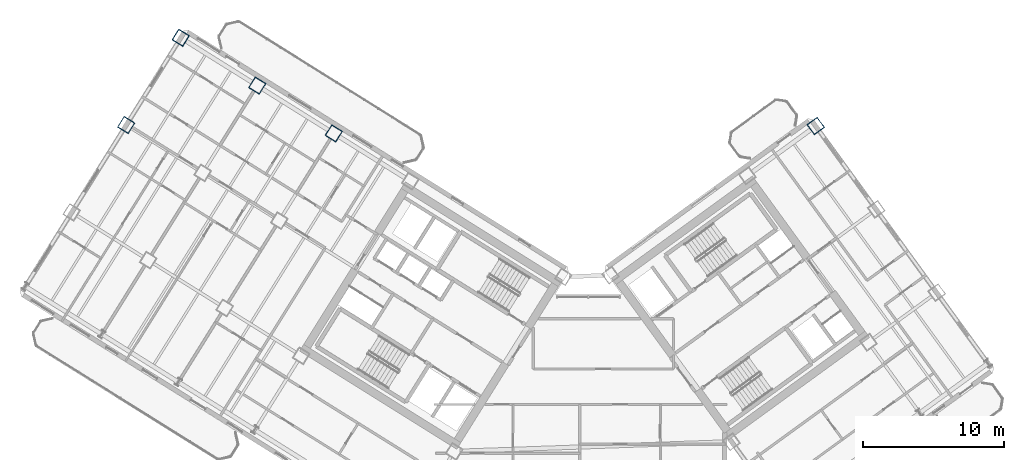
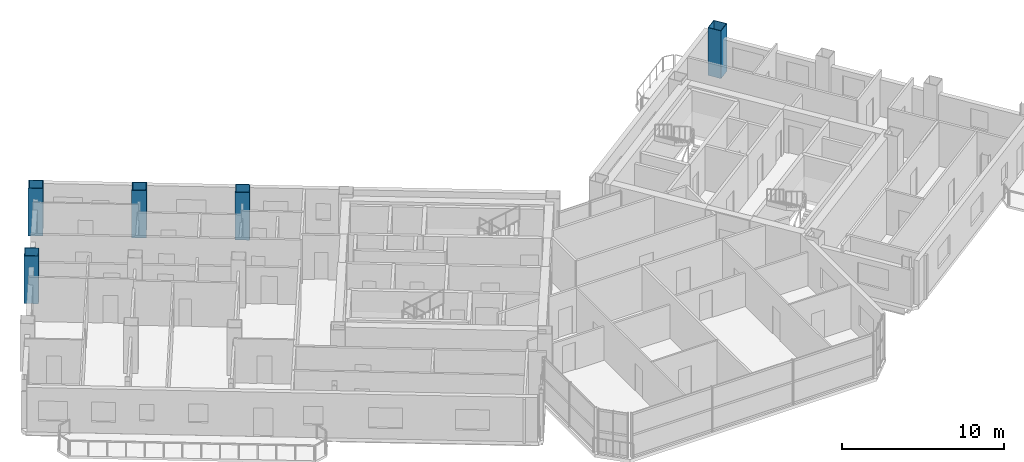
# One storey, part 3 of 25: 5 columns.
"""IFC4 building model written with IfcOpenShell, lengths in metres."""

from ifc_helpers import new_model, si_unit, direction, frame, origin, origin_2d, place, context, subcontext, project, spatial, hollow_rectangle, extrude, source, transform, mapped, material, material_profile, profile_set, type_object, element, save


model = new_model("IFC4")

# Units and contexts
model_context = context("Model", 3, precision=1e-05, world=origin(), true_north=direction((0.0, 1.0)))
body_context = subcontext(model_context, "Body", "Model", "MODEL_VIEW")
ifc_project = project(units=[si_unit("LENGTHUNIT", "METRE"), si_unit("AREAUNIT", "SQUARE_METRE"), si_unit("VOLUMEUNIT", "CUBIC_METRE"), si_unit("PLANEANGLEUNIT", "RADIAN"), si_unit("MASSUNIT", "GRAM", prefix="KILO")], contexts=[model_context])

# Site, building, storey
site_placement = place(None, origin())
site = spatial("IfcSite", under=ifc_project, at=site_placement, CompositionType="ELEMENT")
building_placement = place(site_placement, origin())
building = spatial("IfcBuilding", under=site, at=building_placement, Name="Tlacorven Tower", CompositionType="ELEMENT")
storey_placement = place(building_placement, frame((0.0, 0.0, 162.300048828125)))
storey = spatial("IfcBuildingStorey", under=building, at=storey_placement, Name="L41", CompositionType="ELEMENT", Elevation=162.300048828125)

# Columns
ifc_material = material(Name="Steel S460M", Category="steel")
ifc_material_profile = material_profile(ifc_material, hollow_rectangle(XDim=0.89990234375, YDim=0.89990234375, WallThickness=0.035888671875, at=origin_2d()), Name="BOX 900X900X36")
ifc_profile_set = profile_set([ifc_material_profile], Name="Steel S460M")
column_type = type_object("IfcColumnType", Name="COL-TWR-S2", PredefinedType="COLUMN", material=ifc_profile_set)
shared_shape = source(origin(), body_context, "Body", "SweptSolid", [
    extrude(hollow_rectangle(XDim=0.89990234375, YDim=0.89990234375, WallThickness=0.035888671875, at=origin_2d()), origin(), (0.0, 0.0, 1.0), 3.599853515625),
])
for number, where, z_axis, x_axis, name in (
    (1, (24.50048828125, 34.642822265625, 0.0), (0.0, 0.0, 1.0), (-0.848048096156, 0.529919264233, 0.0), "L41 column COL-L41-W4-1"),
    (2, (19.072998046875, 38.034423828125, 0.0), (0.0, 0.0, 1.0), (-0.848048096156, 0.529919264233, 0.0), "L41 column COL-L41-W5-1"),
    (3, (13.6455078125, 41.42578125, 0.0), (0.0, 0.0, 1.0), (-0.848048096156, 0.529919264233, 0.0), "L41 column COL-L41-W6-1"),
    (4, (9.777099609375, 35.235107421875, 0.0), (0.0, 0.0, 1.0), (-0.848048096156, 0.529919264233, 0.0), "L41 column COL-L41-W6-2"),
    (5, (58.68603515625, 35.165283203125, 0.0), (0.0, 0.0, 1.0), (0.809016994375, 0.587785252292, 0.0), "L41 column COL-L41-E4-4"),
):
    element("IfcColumn", number, at=place(storey_placement, frame(where, z_axis=z_axis, x_axis=x_axis)), inside=storey, type_object=column_type, Name=name, PredefinedType="COLUMN", context=body_context, shape_type="MappedRepresentation", body=[
        mapped(shared_shape, transform((0.0, 0.0, 0.0), scale=1.0)),
    ])

save(model, "model.ifc")
